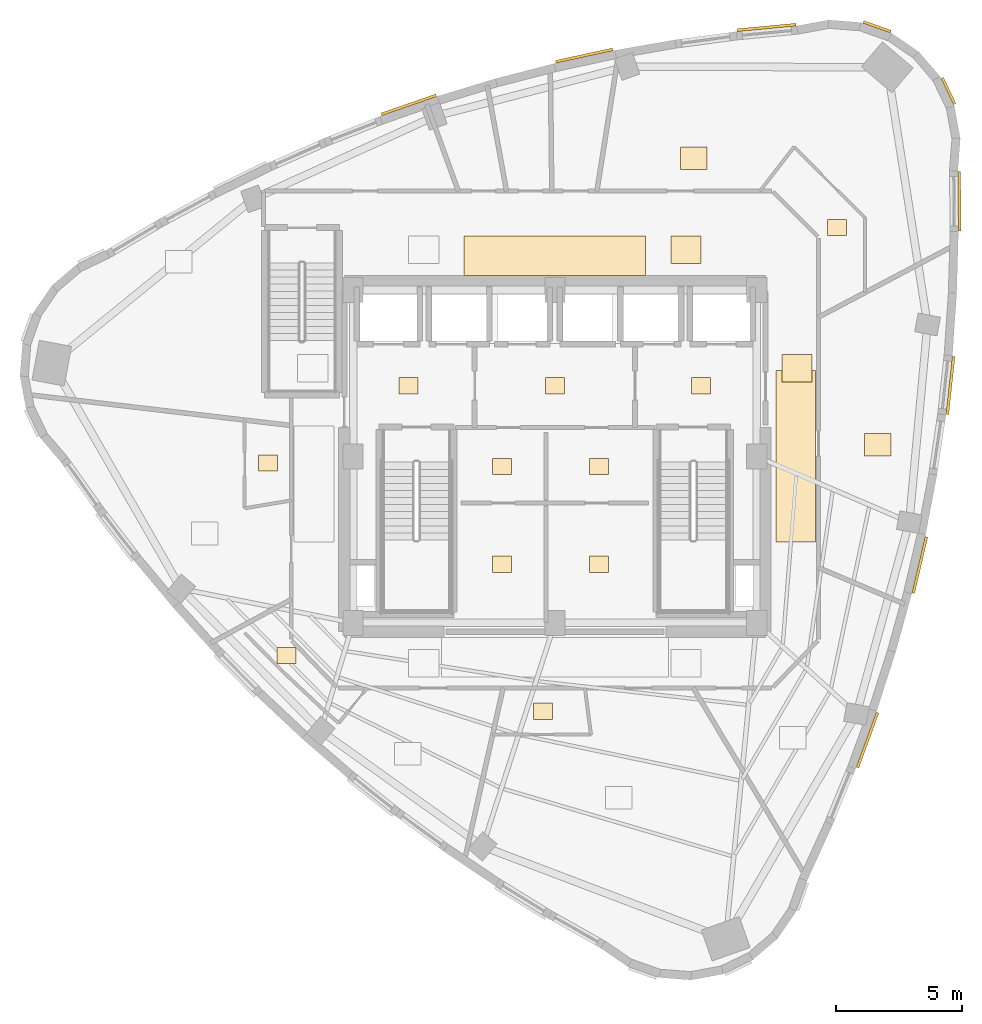
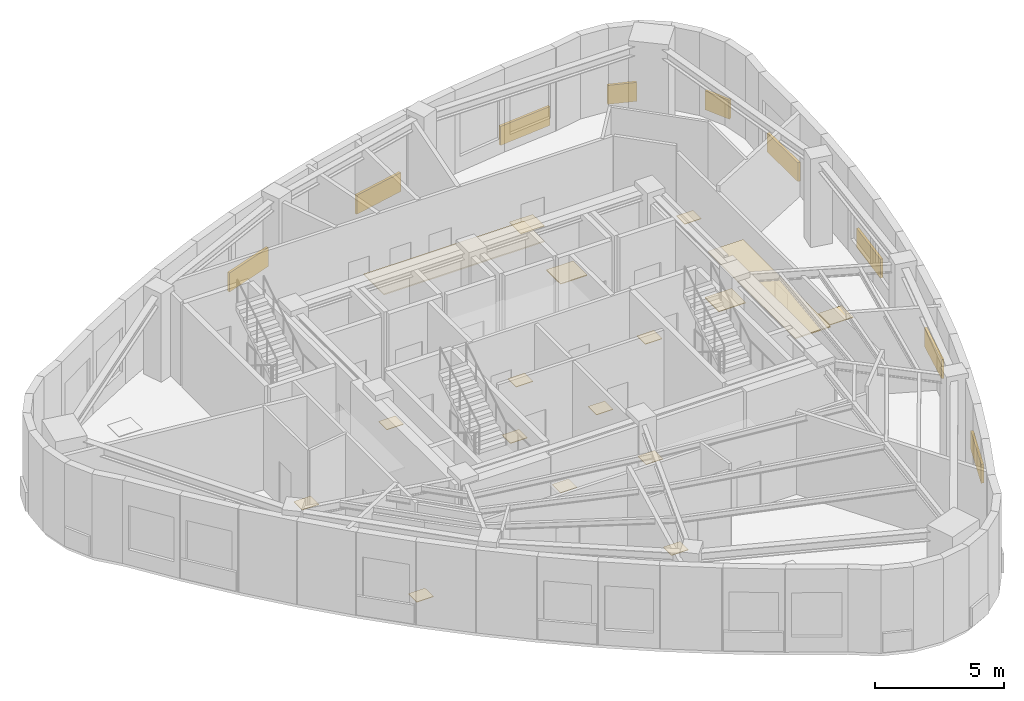
# One storey, part 9 of 9: 26 coverings.
"""IFC4 building model written with IfcOpenShell, lengths in metres."""

from ifc_helpers import new_model, si_unit, direction, frame, origin, origin_2d, place, context, subcontext, project, spatial, rectangle, extrude, material, layer, layer_set, type_object, element, save


model = new_model("IFC4")

# Units and contexts
model_context = context("Model", 3, precision=1e-05, world=origin(), true_north=direction((0.0, 1.0)))
body_context = subcontext(model_context, "Body", "Model", "MODEL_VIEW")
ifc_project = project(units=[si_unit("LENGTHUNIT", "METRE"), si_unit("AREAUNIT", "SQUARE_METRE"), si_unit("VOLUMEUNIT", "CUBIC_METRE"), si_unit("PLANEANGLEUNIT", "RADIAN"), si_unit("MASSUNIT", "GRAM", prefix="KILO")], contexts=[model_context])

# Site, building, storey
site_placement = place(None, origin())
site = spatial("IfcSite", under=ifc_project, at=site_placement, CompositionType="ELEMENT")
building_placement = place(site_placement, origin())
building = spatial("IfcBuilding", under=site, at=building_placement, Name="Ndelora Gate Hotel", CompositionType="ELEMENT")
storey_placement = place(building_placement, frame((0.0, 0.0, 260.199951171875)))
storey = spatial("IfcBuildingStorey", under=building, at=storey_placement, Name="L65", CompositionType="ELEMENT", Elevation=260.199951171875)

# Coverings
ifc_material_1 = material(Name="Perforated Acoustic Gypsum Board", Category="gypsum")
ifc_layer_1 = layer(ifc_material_1, 0.054931640625)
ifc_layer_set_1 = layer_set([ifc_layer_1], Name="Perforated Acoustic Gypsum Board")
covering_type_1 = type_object("IfcCoveringType", Name="COV-CEIL-AC60", PredefinedType="CEILING", material=ifc_layer_set_1)
covering_1_placement = place(storey_placement, frame((0.0, 7.9599609375, 2.65234375), z_axis=(0.0, 0.0, 1.0), x_axis=(1.0, 0.0, 0.0)))
element("IfcCovering", 1, at=covering_1_placement, inside=storey, type_object=covering_type_1, Name="L65 Guest Corridor Acoustic Ceiling N", PredefinedType="CEILING", context=body_context, shape_type="SweptSolid", body=[
    extrude(rectangle(XDim=7.199951171875, YDim=1.580078125, at=origin_2d()), origin(), (0.0, 0.0, 1.0), 0.054931640625),
])
covering_2_placement = place(storey_placement, frame((9.550048828125, 0.0, 2.65234375), z_axis=(0.0, 0.0, 1.0), x_axis=(1.0, 0.0, 0.0)))
element("IfcCovering", 2, at=covering_2_placement, inside=storey, type_object=covering_type_1, Name="L65 Guest Corridor Acoustic Ceiling E", PredefinedType="CEILING", context=body_context, shape_type="SweptSolid", body=[
    extrude(rectangle(XDim=1.580078125, YDim=6.800048828125, at=origin_2d()), origin(), (0.0, 0.0, 1.0), 0.054931640625),
])
ifc_material_2 = material(Name="Terracotta Fired Clay Brick Slip Cladding", Category="masonry")
ifc_layer_2 = layer(ifc_material_2, 0.110107421875)
ifc_layer_set_2 = layer_set([ifc_layer_2], Name="Terracotta Fired Clay Brick Slip Cladding")
covering_type_2 = type_object("IfcCoveringType", Name="COV-CLAD-BRK", PredefinedType="CLADDING", material=ifc_layer_set_2)
covering_3_placement = place(storey_placement, frame((12.397216796875, -11.245849609375, 0.10009765625), z_axis=(0.0, 0.0, 1.0), x_axis=(0.343331867922, 0.939214154743, 0.0)))
element("IfcCovering", 3, at=covering_3_placement, inside=storey, type_object=covering_type_2, Name="L65 Rounded-Corner Brick Cladding Band 31", PredefinedType="CLADDING", context=body_context, shape_type="SweptSolid", body=[
    extrude(rectangle(XDim=2.322021484375, YDim=0.110107421875, at=origin_2d()), origin(), (0.0, 0.0, 1.0), 0.89990234375),
])
covering_4_placement = place(storey_placement, frame((14.470947265625, -4.305908203125, 0.10009765625), z_axis=(0.0, 0.0, 1.0), x_axis=(0.227671128223, 0.973738084586, 0.0)))
element("IfcCovering", 4, at=covering_4_placement, inside=storey, type_object=covering_type_2, Name="L65 Rounded-Corner Brick Cladding Band 34", PredefinedType="CLADDING", context=body_context, shape_type="SweptSolid", body=[
    extrude(rectangle(XDim=2.298095703125, YDim=0.110107421875, at=origin_2d()), origin(), (0.0, 0.0, 1.0), 0.89990234375),
])
covering_5_placement = place(storey_placement, frame((15.685546875, 2.816650390625, 0.10009765625), z_axis=(0.0, 0.0, 1.0), x_axis=(0.108172866136, 0.994132099387, 0.0)))
element("IfcCovering", 5, at=covering_5_placement, inside=storey, type_object=covering_type_2, Name="L65 Rounded-Corner Brick Cladding Band 37", PredefinedType="CLADDING", context=body_context, shape_type="SweptSolid", body=[
    extrude(rectangle(XDim=2.31005859375, YDim=0.110107421875, at=origin_2d()), origin(), (0.0, 0.0, 1.0), 0.89990234375),
])
covering_6_placement = place(storey_placement, frame((16.041259765625, 10.120849609375, 0.10009765625), z_axis=(0.0, 0.0, 1.0), x_axis=(-0.009948212638, 0.999950515308, 0.0)))
element("IfcCovering", 6, at=covering_6_placement, inside=storey, type_object=covering_type_2, Name="L65 Rounded-Corner Brick Cladding Band 40", PredefinedType="CLADDING", context=body_context, shape_type="SweptSolid", body=[
    extrude(rectangle(XDim=2.35693359375, YDim=0.110107421875, at=origin_2d()), origin(), (0.0, 0.0, 1.0), 0.89990234375),
])
for number, where, z_axis, x_axis, name in (
    (7, (15.60791015625, 14.48779296875, 0.10009765625), (0.0, 0.0, 1.0), (-0.430511096808, 0.90258528435, 0.0), "L65 Rounded-Corner Brick Cladding Band 43"),
    (8, (12.77685546875, 17.036865234375, 0.10009765625), (0.0, 0.0, 1.0), (-0.942641491092, 0.333806859234, 0.0), "L65 Rounded-Corner Brick Cladding Band 46"),
):
    element("IfcCovering", number, at=place(storey_placement, frame(where, z_axis=z_axis, x_axis=x_axis)), inside=storey, type_object=covering_type_2, Name=name, PredefinedType="CLADDING", context=body_context, shape_type="SweptSolid", body=[
        extrude(rectangle(XDim=1.153076171875, YDim=0.110107421875, at=origin_2d()), origin(), (0.0, 0.0, 1.0), 0.89990234375),
    ])
covering_7_placement = place(storey_placement, frame((8.388671875, 17.01123046875, 0.10009765625), z_axis=(0.0, 0.0, 1.0), x_axis=(0.995512553138, 0.09462957542, 0.0)))
element("IfcCovering", 9, at=covering_7_placement, inside=storey, type_object=covering_type_2, Name="L65 Rounded-Corner Brick Cladding Band 49", PredefinedType="CLADDING", context=body_context, shape_type="SweptSolid", body=[
    extrude(rectangle(XDim=2.35693359375, YDim=0.110107421875, at=origin_2d()), origin(), (0.0, 0.0, 1.0), 0.89990234375),
])
covering_8_placement = place(storey_placement, frame((1.16162109375, 15.894287109375, 0.10009765625), z_axis=(0.0, 0.0, 1.0), x_axis=(0.977378996264, 0.211495384491, 0.0)))
element("IfcCovering", 10, at=covering_8_placement, inside=storey, type_object=covering_type_2, Name="L65 Rounded-Corner Brick Cladding Band 52", PredefinedType="CLADDING", context=body_context, shape_type="SweptSolid", body=[
    extrude(rectangle(XDim=2.31005859375, YDim=0.110107421875, at=origin_2d()), origin(), (0.0, 0.0, 1.0), 0.89990234375),
])
covering_9_placement = place(storey_placement, frame((-5.794921875, 13.941650390625, 0.10009765625), z_axis=(0.0, 0.0, 1.0), x_axis=(0.944605732311, 0.328207267568, 0.0)))
element("IfcCovering", 11, at=covering_9_placement, inside=storey, type_object=covering_type_2, Name="L65 Rounded-Corner Brick Cladding Band 55", PredefinedType="CLADDING", context=body_context, shape_type="SweptSolid", body=[
    extrude(rectangle(XDim=2.298095703125, YDim=0.110107421875, at=origin_2d()), origin(), (0.0, 0.0, 1.0), 0.89990234375),
])
ifc_material_3 = material(Name="Engineered Highland Oak Parquet", Category="wood")
ifc_layer_3 = layer(ifc_material_3, 0.030029296875)
ifc_layer_set_3 = layer_set([ifc_layer_3], Name="Engineered Highland Oak Parquet")
covering_type_3 = type_object("IfcCoveringType", Name="COV-FLR-PARQ", PredefinedType="FLOORING", material=ifc_layer_set_3)
for number, where, z_axis, x_axis, name in (
    (12, (12.805419921875, 0.46044921875, 0.0), (0.0, 0.0, 1.0), (1.0, 0.0, 0.0), "L65 Crown Horizon Salon Oak Parquet Flooring"),
    (13, (5.49853515625, 11.82373046875, 0.0), (0.0, 0.0, 1.0), (1.0, 0.0, 0.0), "L65 Crown Horizon Suite 6804 Oak Parquet Flooring"),
):
    element("IfcCovering", number, at=place(storey_placement, frame(where, z_axis=z_axis, x_axis=x_axis)), inside=storey, type_object=covering_type_3, Name=name, PredefinedType="FLOORING", context=body_context, shape_type="SweptSolid", body=[
        extrude(rectangle(XDim=1.050048828125, YDim=0.89990234375, at=origin_2d()), origin(), (0.0, 0.0, 1.0), 0.030029296875),
    ])
ifc_material_4 = material(Name="Polished Highland Stone Terrazzo", Category="masonry")
ifc_layer_4 = layer(ifc_material_4, 0.034912109375)
ifc_layer_set_4 = layer_set([ifc_layer_4], Name="Polished Highland Stone Terrazzo")
covering_type_4 = type_object("IfcCoveringType", Name="COV-FLR-TERZ", PredefinedType="FLOORING", material=ifc_layer_set_4)
for number, where, z_axis, x_axis, name in (
    (14, (5.199951171875, 8.199951171875, 0.0), (0.0, 0.0, 1.0), (1.0, 0.0, 0.0), "L65 Corridor Threshold Terrazzo Inlay NE"),
    (15, (9.60009765625, 3.5, 0.0), (0.0, 0.0, 1.0), (1.0, 0.0, 0.0), "L65 Corridor Threshold Terrazzo Inlay E"),
):
    element("IfcCovering", number, at=place(storey_placement, frame(where, z_axis=z_axis, x_axis=x_axis)), inside=storey, type_object=covering_type_4, Name=name, PredefinedType="FLOORING", context=body_context, shape_type="SweptSolid", body=[
        extrude(rectangle(XDim=1.199951171875, YDim=1.10009765625, at=origin_2d()), origin(), (0.0, 0.0, 1.0), 0.034912109375),
    ])
ifc_material_5 = material(Name="Non-Slip Porcelain Wet-Room Tile", Category="ceramic")
ifc_layer_5 = layer(ifc_material_5, 0.02490234375)
ifc_layer_set_5 = layer_set([ifc_layer_5], Name="Non-Slip Porcelain Wet-Room Tile")
covering_type_5 = type_object("IfcCoveringType", Name="COV-FLR-TILE", PredefinedType="FLOORING", material=ifc_layer_set_5)
for number, where, z_axis, x_axis, name in (
    (16, (-5.800048828125, 2.800048828125, 0.0), (0.0, 0.0, 1.0), (1.0, 0.0, 0.0), "L65 Firefighting Lift Lobby West Porcelain Tile Flooring"),
    (17, (5.800048828125, 2.800048828125, 0.0), (0.0, 0.0, 1.0), (1.0, 0.0, 0.0), "L65 Firefighting Lift Lobby East Porcelain Tile Flooring"),
    (18, (0.0, 2.800048828125, 0.0), (0.0, 0.0, 1.0), (1.0, 0.0, 0.0), "L65 Central Passenger Lift Lobby Porcelain Tile Flooring"),
    (19, (-2.10009765625, -0.39990234375, 0.0), (0.0, 0.0, 1.0), (1.0, 0.0, 0.0), "L65 Core Electrical Closet Porcelain Tile Flooring"),
    (20, (1.75, -0.39990234375, 0.0), (0.0, 0.0, 1.0), (1.0, 0.0, 0.0), "L65 Comms Patching Store Porcelain Tile Flooring"),
    (21, (-2.10009765625, -4.27490234375, 0.0), (0.0, 0.0, 1.0), (1.0, 0.0, 0.0), "L65 Valet Laundry Store Porcelain Tile Flooring"),
    (22, (1.75, -4.27490234375, 0.0), (0.0, 0.0, 1.0), (1.0, 0.0, 0.0), "L65 Housekeeping Reserve Store Porcelain Tile Flooring"),
    (23, (-11.375, -0.260498046875, 0.0), (0.0, 0.0, 1.0), (1.0, 0.0, 0.0), "L65 En-suite Bathroom 6801 Porcelain Tile Flooring"),
    (24, (-10.639404296875, -7.89208984375, 0.0), (0.0, 0.0, 1.0), (1.0, 0.0, 0.0), "L65 En-suite Bathroom 6802 Porcelain Tile Flooring"),
    (25, (-0.4755859375, -10.10498046875, 0.0), (0.0, 0.0, 1.0), (1.0, 0.0, 0.0), "L65 En-suite Bathroom 6803 Porcelain Tile Flooring"),
    (26, (11.188720703125, 9.0791015625, 0.0), (0.0, 0.0, 1.0), (1.0, 0.0, 0.0), "L65 En-suite Bathroom 6804 Porcelain Tile Flooring"),
):
    element("IfcCovering", number, at=place(storey_placement, frame(where, z_axis=z_axis, x_axis=x_axis)), inside=storey, type_object=covering_type_5, Name=name, PredefinedType="FLOORING", context=body_context, shape_type="SweptSolid", body=[
        extrude(rectangle(XDim=0.75, YDim=0.64990234375, at=origin_2d()), origin(), (0.0, 0.0, 1.0), 0.02490234375),
    ])

save(model, "model.ifc")
